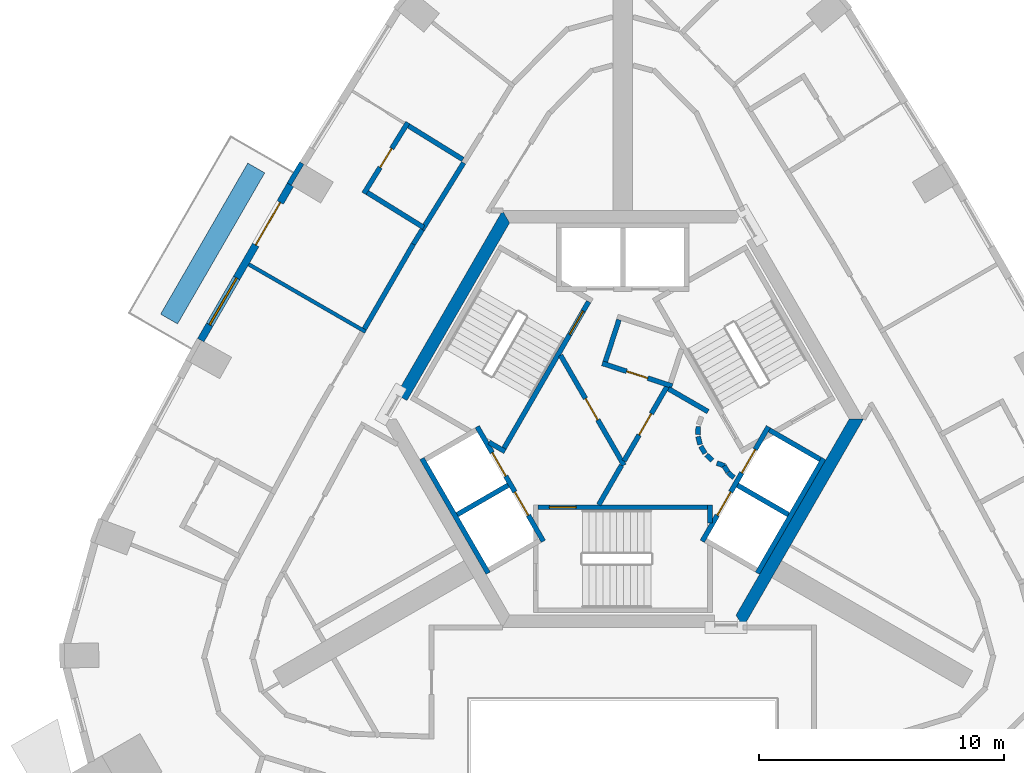
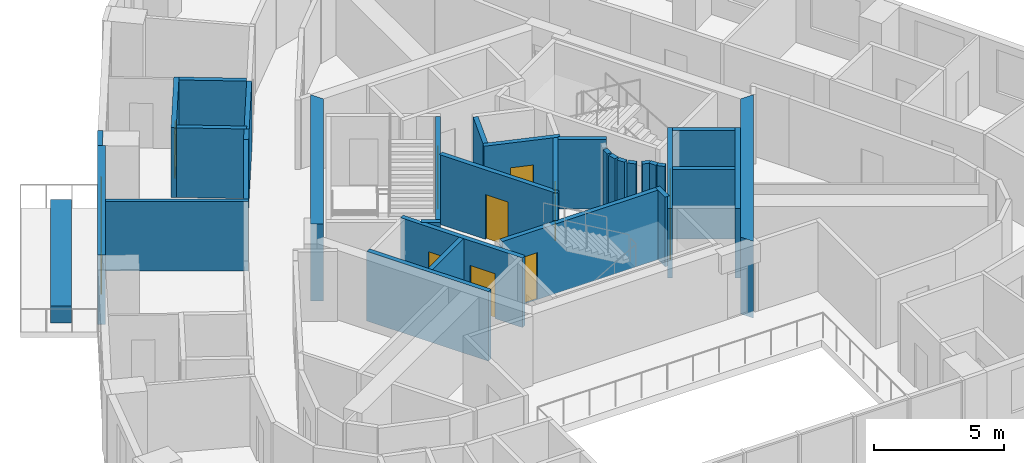
# One storey, part 5 of 11: 36 walls, 11 doors, 1 window, 12 openings.
"""IFC4 building model written with IfcOpenShell, lengths in metres."""

from ifc_helpers import new_model, si_unit, direction, frame, frame_2d, origin, place, context, subcontext, project, spatial, polyline, rectangle, outline, extrude, material, layer, layer_set, type_object, element, fill, save


model = new_model("IFC4")

# Units and contexts
model_context = context("Model", 3, precision=1e-05, world=origin(), true_north=direction((0.0, 1.0)))
body_context = subcontext(model_context, "Body", "Model", "MODEL_VIEW")
ifc_project = project(units=[si_unit("LENGTHUNIT", "METRE"), si_unit("AREAUNIT", "SQUARE_METRE"), si_unit("VOLUMEUNIT", "CUBIC_METRE"), si_unit("PLANEANGLEUNIT", "RADIAN"), si_unit("MASSUNIT", "GRAM", prefix="KILO")], contexts=[model_context])

# Site, building, storey
site_placement = place(None, origin())
site = spatial("IfcSite", under=ifc_project, at=site_placement, CompositionType="ELEMENT")
building_placement = place(site_placement, origin())
building = spatial("IfcBuilding", under=site, at=building_placement, Name="Entoto Arch Interchange Tower", CompositionType="ELEMENT")
storey_placement = place(building_placement, frame((0.0, 0.0, 304.39990234375)))
storey = spatial("IfcBuildingStorey", under=building, at=storey_placement, Name="L71", CompositionType="ELEMENT", Elevation=304.39990234375)

# Walls
ifc_material_1 = material(Name="Concrete C40/50", Category="concrete")
ifc_layer_1 = layer(ifc_material_1, 0.5)
ifc_layer_set_1 = layer_set([ifc_layer_1], Name="Concrete C40/50")
wall_type_1 = type_object("IfcWallType", Name="Core wall 500 C40/50", PredefinedType="SHEAR", material=ifc_layer_set_1)
wall_1_placement = place(storey_placement, frame((0.0, 0.0, -0.33984375)))
element("IfcWall", 1, at=wall_1_placement, inside=storey, type_object=wall_type_1, Name="Core wall NW L71", PredefinedType="SHEAR", context=body_context, shape_type="SweptSolid", body=[
    extrude(outline(polyline([(-9.236083984375, 3.501953125), (-8.802978515625, 3.2529296875), (-4.618896484375, 10.5), (-4.906982421875, 11.0), (-9.236083984375, 3.501953125)])), origin(), (0.0, 0.0, 1.0), 3.599853515625),
])
wall_2_placement = place(storey_placement, frame((0.0, 0.0, -0.33984375)))
element("IfcWall", 2, at=wall_2_placement, inside=storey, type_object=wall_type_1, Name="Core wall SE L71", PredefinedType="SHEAR", context=body_context, shape_type="SweptSolid", body=[
    extrude(outline(polyline([(4.906982421875, -6.0), (9.81494140625, 2.5), (9.238037109375, 2.5), (4.618896484375, -5.5), (4.906982421875, -6.0)])), origin(), (0.0, 0.0, 1.0), 3.599853515625),
])

# Wall, openings, doors
ifc_layer_2 = layer(ifc_material_1, 0.199951171875)
ifc_layer_set_2 = layer_set([ifc_layer_2], Name="Concrete C40/50")
wall_type_2 = type_object("IfcWallType", Name="LIFT SHAFT WALL 200", PredefinedType="STANDARD", material=ifc_layer_set_2)
wall_3_placement = place(storey_placement, frame((-5.93994140625, 2.18798828125, 0.0), z_axis=(0.0, 0.0, 1.0), x_axis=(0.500034260056, -0.866005622828, 0.0)))
wall_3 = element("IfcWall", 3, at=wall_3_placement, inside=storey, type_object=wall_type_2, Name="Shaft wall SW1 front", PredefinedType="STANDARD", context=body_context, shape_type="SweptSolid", body=[
    extrude(rectangle(XDim=5.3994140625, YDim=0.199951171875, at=frame_2d((2.69970703125, 0.0))), origin(), (0.0, 0.0, 1.0), 3.260009765625),
])
opening_1_placement = place(wall_3_placement, frame((3.074951171875, 0.0, 0.0)))
opening_1 = element("IfcOpeningElement", 4, at=opening_1_placement, cuts=wall_3, Name="Opening LD-HR4-L71", PredefinedType="OPENING", context=body_context, shape_type="SweptSolid", body=[
    extrude(rectangle(XDim=1.10009765625, YDim=2.10009765625, at=frame_2d((0.550048828125, 1.050048828125))), frame((0.0, 0.10986328125, 0.0), z_axis=(0.0, -1.0, 0.0), x_axis=(1.0, 0.0, 0.0)), (0.0, 0.0, 1.0), 0.219970703125),
])
opening_2_placement = place(wall_3_placement, frame((1.22509765625, 0.0, 0.0)))
opening_2 = element("IfcOpeningElement", 5, at=opening_2_placement, cuts=wall_3, Name="Opening LD-FF2-L71", PredefinedType="OPENING", context=body_context, shape_type="SweptSolid", body=[
    extrude(rectangle(XDim=1.10009765625, YDim=2.10009765625, at=frame_2d((0.550048828125, 1.050048828125))), frame((0.0, 0.10986328125, 0.0), z_axis=(0.0, -1.0, 0.0), x_axis=(1.0, 0.0, 0.0)), (0.0, 0.0, 1.0), 0.219970703125),
])
ifc_material_2 = material(Name="Stainless steel 1.4301 panels", Category="steel")
door_type_1 = type_object("IfcDoorType", Name="LIFT LANDING DOOR LD1 1100x2100", OperationType="SLIDING_TO_LEFT", PredefinedType="DOOR", material=ifc_material_2)
door_1_placement = place(opening_1_placement, origin())
door_1 = element("IfcDoor", 6, at=door_1_placement, inside=storey, type_object=door_type_1, Name="Lift landing door HR4 L71", OperationType="SLIDING_TO_LEFT", OverallHeight=2.10009765625, OverallWidth=1.10009765625, PredefinedType="DOOR", context=body_context, shape_type="SweptSolid", body=[
    extrude(rectangle(XDim=1.10009765625, YDim=2.10009765625, at=frame_2d((0.550048828125, 1.050048828125))), frame((0.0, 0.02490234375, 0.0), z_axis=(0.0, -1.0, 0.0), x_axis=(1.0, 0.0, 0.0)), (0.0, 0.0, 1.0), 0.050048828125),
])
fill(opening_1, door_1)
door_2_placement = place(opening_2_placement, origin())
door_2 = element("IfcDoor", 7, at=door_2_placement, inside=storey, type_object=door_type_1, Name="Lift landing door FF2 L71", OperationType="SLIDING_TO_LEFT", OverallHeight=2.10009765625, OverallWidth=1.10009765625, PredefinedType="DOOR", context=body_context, shape_type="SweptSolid", body=[
    extrude(rectangle(XDim=1.10009765625, YDim=2.10009765625, at=frame_2d((0.550048828125, 1.050048828125))), frame((0.0, 0.02490234375, 0.0), z_axis=(0.0, -1.0, 0.0), x_axis=(1.0, 0.0, 0.0)), (0.0, 0.0, 1.0), 0.050048828125),
])
fill(opening_2, door_2)

# Walls
wall_4_placement = place(storey_placement, frame((-8.19189453125, 0.887939453125, 0.0), z_axis=(0.0, 0.0, 1.0), x_axis=(0.500034260056, -0.866005622828, 0.0)))
element("IfcWall", 8, at=wall_4_placement, inside=storey, type_object=wall_type_2, Name="Shaft wall SW1 back", PredefinedType="STANDARD", context=body_context, shape_type="SweptSolid", body=[
    extrude(rectangle(XDim=5.3994140625, YDim=0.199951171875, at=frame_2d((2.69970703125, 0.0))), origin(), (0.0, 0.0, 1.0), 3.260009765625),
])
wall_5_placement = place(storey_placement, frame((-4.677001953125, -0.199951171875, 0.0), z_axis=(0.0, 0.0, 1.0), x_axis=(-0.865973769406, -0.500089422704, 0.0)))
element("IfcWall", 9, at=wall_5_placement, inside=storey, type_object=wall_type_2, Name="Shaft wall SW1 cross 2", PredefinedType="STANDARD", context=body_context, shape_type="SweptSolid", body=[
    extrude(rectangle(XDim=2.3994140625, YDim=0.199951171875, at=frame_2d((1.19970703125, 0.0))), origin(), (0.0, 0.0, 1.0), 3.260009765625),
])

# Wall, openings, doors
wall_6_placement = place(storey_placement, frame((3.239990234375, -2.488037109375, 0.0), z_axis=(0.0, 0.0, 1.0), x_axis=(0.500034260056, 0.866005622828, 0.0)))
wall_6 = element("IfcWall", 10, at=wall_6_placement, inside=storey, type_object=wall_type_2, Name="Shaft wall SE1 front", PredefinedType="STANDARD", context=body_context, shape_type="SweptSolid", body=[
    extrude(rectangle(XDim=5.3994140625, YDim=0.199951171875, at=frame_2d((2.69970703125, 0.0))), origin(), (0.0, 0.0, 1.0), 3.260009765625),
])
opening_3_placement = place(wall_6_placement, frame((3.22509765625, 0.0, 0.0)))
opening_3 = element("IfcOpeningElement", 11, at=opening_3_placement, cuts=wall_6, Name="Opening LD-HR3-L71", PredefinedType="OPENING", context=body_context, shape_type="SweptSolid", body=[
    extrude(rectangle(XDim=1.10009765625, YDim=2.10009765625, at=frame_2d((0.550048828125, 1.050048828125))), frame((0.0, 0.10986328125, 0.0), z_axis=(0.0, -1.0, 0.0), x_axis=(1.0, 0.0, 0.0)), (0.0, 0.0, 1.0), 0.219970703125),
])
opening_4_placement = place(wall_6_placement, frame((1.22509765625, 0.0, 0.0)))
opening_4 = element("IfcOpeningElement", 12, at=opening_4_placement, cuts=wall_6, Name="Opening LD-FF1-L71", PredefinedType="OPENING", context=body_context, shape_type="SweptSolid", body=[
    extrude(rectangle(XDim=1.10009765625, YDim=2.10009765625, at=frame_2d((0.550048828125, 1.050048828125))), frame((0.0, 0.10986328125, 0.0), z_axis=(0.0, -1.0, 0.0), x_axis=(1.0, 0.0, 0.0)), (0.0, 0.0, 1.0), 0.219970703125),
])
door_3_placement = place(opening_3_placement, origin())
door_3 = element("IfcDoor", 13, at=door_3_placement, inside=storey, type_object=door_type_1, Name="Lift landing door HR3 L71", OperationType="SLIDING_TO_LEFT", OverallHeight=2.10009765625, OverallWidth=1.10009765625, PredefinedType="DOOR", context=body_context, shape_type="SweptSolid", body=[
    extrude(rectangle(XDim=1.10009765625, YDim=2.10009765625, at=frame_2d((0.550048828125, 1.050048828125))), frame((0.0, 0.02490234375, 0.0), z_axis=(0.0, -1.0, 0.0), x_axis=(1.0, 0.0, 0.0)), (0.0, 0.0, 1.0), 0.050048828125),
])
fill(opening_3, door_3)
door_4_placement = place(opening_4_placement, origin())
door_4 = element("IfcDoor", 14, at=door_4_placement, inside=storey, type_object=door_type_1, Name="Lift landing door FF1 L71", OperationType="SLIDING_TO_LEFT", OverallHeight=2.10009765625, OverallWidth=1.10009765625, PredefinedType="DOOR", context=body_context, shape_type="SweptSolid", body=[
    extrude(rectangle(XDim=1.10009765625, YDim=2.10009765625, at=frame_2d((0.550048828125, 1.050048828125))), frame((0.0, 0.02490234375, 0.0), z_axis=(0.0, -1.0, 0.0), x_axis=(1.0, 0.0, 0.0)), (0.0, 0.0, 1.0), 0.050048828125),
])
fill(opening_4, door_4)

# Walls
wall_7_placement = place(storey_placement, frame((5.491943359375, -3.7880859375, 0.0), z_axis=(0.0, 0.0, 1.0), x_axis=(0.500034260056, 0.866005622828, 0.0)))
element("IfcWall", 15, at=wall_7_placement, inside=storey, type_object=wall_type_2, Name="Shaft wall SE1 back", PredefinedType="STANDARD", context=body_context, shape_type="SweptSolid", body=[
    extrude(rectangle(XDim=5.3994140625, YDim=0.199951171875, at=frame_2d((2.69970703125, 0.0))), origin(), (0.0, 0.0, 1.0), 3.260009765625),
])
for number, where, z_axis, x_axis, name in (
    (16, (4.677001953125, -0.199951171875, 0.0), (0.0, 0.0, 1.0), (0.865973769406, -0.500089422704, 0.0), "Shaft wall SE1 cross 2"),
    (17, (5.97705078125, 2.052001953125, 0.0), (0.0, 0.0, 1.0), (0.865973769406, -0.500089422704, 0.0), "Shaft wall SE1 cross 3"),
):
    element("IfcWall", number, at=place(storey_placement, frame(where, z_axis=z_axis, x_axis=x_axis)), inside=storey, type_object=wall_type_2, Name=name, PredefinedType="STANDARD", context=body_context, shape_type="SweptSolid", body=[
        extrude(rectangle(XDim=2.3994140625, YDim=0.199951171875, at=frame_2d((1.19970703125, 0.0))), origin(), (0.0, 0.0, 1.0), 3.260009765625),
    ])
ifc_material_3 = material(Name="Gypsum board partition on steel studs", Category="steel")
ifc_layer_3 = layer(ifc_material_3, 0.14990234375)
ifc_layer_set_3 = layer_set([ifc_layer_3], Name="Gypsum board partition on steel studs")
wall_type_3 = type_object("IfcWallType", Name="PARTITION 150", PredefinedType="PARTITIONING", material=ifc_layer_set_3)
wall_8_placement = place(storey_placement, frame((-10.493896484375, 6.05908203125, 0.0), z_axis=(0.0, 0.0, 1.0), x_axis=(-0.866027397988, 0.499996545922, 0.0)))
element("IfcWall", 18, at=wall_8_placement, inside=storey, type_object=wall_type_3, Name="wall:L71:p119", PredefinedType="PARTITIONING", context=body_context, shape_type="SweptSolid", body=[
    extrude(rectangle(XDim=5.5, YDim=0.14990234375, at=frame_2d((2.75, 0.0))), origin(), (0.0, 0.0, 1.0), 3.260009765625),
])
ifc_layer_4 = layer(ifc_material_3, 0.199951171875)
ifc_layer_set_4 = layer_set([ifc_layer_4], Name="Gypsum board partition on steel studs")
wall_type_4 = type_object("IfcWallType", Name="PARTITION 200", PredefinedType="PARTITIONING", material=ifc_layer_set_4)
wall_9_placement = place(storey_placement, frame((-0.156982421875, 6.547119140625, 0.0), z_axis=(0.0, 0.0, 1.0), x_axis=(-0.308813127339, -0.951122732555, 0.0)))
element("IfcWall", 19, at=wall_9_placement, inside=storey, type_object=wall_type_4, Name="wall:L71:p002", PredefinedType="PARTITIONING", context=body_context, shape_type="SweptSolid", body=[
    extrude(rectangle(XDim=1.800048828125, YDim=0.199951171875, at=frame_2d((0.89990234375, 0.0))), origin(), (0.0, 0.0, 1.0), 3.260009765625),
])

# Wall, opening, door
wall_10_placement = place(storey_placement, frame((-0.839111328125, 4.77099609375, 0.0), z_axis=(0.0, 0.0, 1.0), x_axis=(0.950961084355, -0.309310549515, 0.0)))
wall_10 = element("IfcWall", 20, at=wall_10_placement, inside=storey, type_object=wall_type_4, Name="wall:L71:p003", PredefinedType="PARTITIONING", context=body_context, shape_type="SweptSolid", body=[
    extrude(rectangle(XDim=3.000244140625, YDim=0.199951171875, at=frame_2d((1.5, 0.0))), origin(), (0.0, 0.0, 1.0), 3.260009765625),
])
opening_5_placement = place(wall_10_placement, frame((1.050048828125, 0.0, 0.0)))
opening_5 = element("IfcOpeningElement", 21, at=opening_5_placement, cuts=wall_10, Name="Opening L71-D34", PredefinedType="OPENING", context=body_context, shape_type="SweptSolid", body=[
    extrude(rectangle(XDim=0.89990234375, YDim=2.10009765625, at=frame_2d((0.449951171875, 1.050048828125))), frame((0.0, 0.10986328125, 0.0), z_axis=(0.0, -1.0, 0.0), x_axis=(1.0, 0.0, 0.0)), (0.0, 0.0, 1.0), 0.219970703125),
])
ifc_material_4 = material(Name="Timber door leaf in Steel S235 frame", Category="steel")
door_type_2 = type_object("IfcDoorType", Name="DOOR DS-09 900x2100", OperationType="SINGLE_SWING_LEFT", PredefinedType="DOOR", material=ifc_material_4)
door_5_placement = place(opening_5_placement, origin())
door_5 = element("IfcDoor", 22, at=door_5_placement, inside=storey, type_object=door_type_2, Name="door:L71:34", OperationType="SINGLE_SWING_LEFT", OverallHeight=2.10009765625, OverallWidth=0.89990234375, PredefinedType="DOOR", context=body_context, shape_type="SweptSolid", body=[
    extrude(rectangle(XDim=0.89990234375, YDim=2.10009765625, at=frame_2d((0.449951171875, 1.050048828125))), frame((0.0, 0.02490234375, 0.0), z_axis=(0.0, -1.0, 0.0), x_axis=(1.0, 0.0, 0.0)), (0.0, 0.0, 1.0), 0.050048828125),
])
fill(opening_5, door_5)

# Walls
wall_11_placement = place(storey_placement, frame((-10.54296875, 6.174072265625, 0.0), z_axis=(0.0, 0.0, 1.0), x_axis=(0.50008212199, 0.86597798544, 0.0)))
element("IfcWall", 23, at=wall_11_placement, inside=storey, type_object=wall_type_4, Name="wall:L71:p049", PredefinedType="PARTITIONING", context=body_context, shape_type="SweptSolid", body=[
    extrude(rectangle(XDim=3.995361328125, YDim=0.199951171875, at=frame_2d((1.99755859375, 0.0))), origin(), (0.0, 0.0, 1.0), 3.260009765625),
])
wall_12_placement = place(storey_placement, frame((-8.544921875, 9.634033203125, 0.0), z_axis=(0.0, 0.0, 1.0), x_axis=(0.52594604986, 0.85051793199, 0.0)))
element("IfcWall", 24, at=wall_12_placement, inside=storey, type_object=wall_type_4, Name="wall:L71:p050", PredefinedType="PARTITIONING", context=body_context, shape_type="SweptSolid", body=[
    extrude(rectangle(XDim=0.699462890625, YDim=0.199951171875, at=frame_2d((0.349609375, 0.0))), origin(), (0.0, 0.0, 1.0), 3.260009765625),
])
wall_13_placement = place(storey_placement, frame((-8.177001953125, 10.22900390625, 0.0), z_axis=(0.0, 0.0, 1.0), x_axis=(0.526504295939, 0.850172468595, 0.0)))
element("IfcWall", 25, at=wall_13_placement, inside=storey, type_object=wall_type_4, Name="wall:L71:p051", PredefinedType="PARTITIONING", context=body_context, shape_type="SweptSolid", body=[
    extrude(rectangle(XDim=3.200439453125, YDim=0.199951171875, at=frame_2d((1.60009765625, 0.0))), origin(), (0.0, 0.0, 1.0), 3.260009765625),
])
wall_14_placement = place(storey_placement, frame((-0.98193359375, -1.0, 0.0), z_axis=(0.0, 0.0, 1.0), x_axis=(0.50024047865, 0.865886518847, 0.0)))
element("IfcWall", 26, at=wall_14_placement, inside=storey, type_object=wall_type_4, Name="wall:L71:p063", PredefinedType="PARTITIONING", context=body_context, shape_type="SweptSolid", body=[
    extrude(rectangle(XDim=1.86279296875, YDim=0.199951171875, at=frame_2d((0.931396484375, 0.0))), origin(), (0.0, 0.0, 1.0), 3.260009765625),
])

# Wall, opening, door
wall_15_placement = place(storey_placement, frame((0.050048828125, 0.787109375, 0.0), z_axis=(0.0, 0.0, 1.0), x_axis=(0.499954076797, 0.866051915934, 0.0)))
wall_15 = element("IfcWall", 27, at=wall_15_placement, inside=storey, type_object=wall_type_4, Name="wall:L71:p064", PredefinedType="PARTITIONING", context=body_context, shape_type="SweptSolid", body=[
    extrude(rectangle(XDim=3.558349609375, YDim=0.199951171875, at=frame_2d((1.779296875, 0.0))), origin(), (0.0, 0.0, 1.0), 3.260009765625),
])
opening_6_placement = place(wall_15_placement, frame((1.22900390625, 0.0, 0.0)))
opening_6 = element("IfcOpeningElement", 28, at=opening_6_placement, cuts=wall_15, Name="Opening L71-D32", PredefinedType="OPENING", context=body_context, shape_type="SweptSolid", body=[
    extrude(rectangle(XDim=1.0, YDim=2.10009765625, at=frame_2d((0.5, 1.050048828125))), frame((0.0, 0.10986328125, 0.0), z_axis=(0.0, -1.0, 0.0), x_axis=(1.0, 0.0, 0.0)), (0.0, 0.0, 1.0), 0.219970703125),
])
ifc_material_5 = material(Name="Fire-rated Steel S235 door and frame", Category="steel")
door_type_3 = type_object("IfcDoorType", Name="DOOR FD-10 1000x2100", OperationType="SINGLE_SWING_LEFT", PredefinedType="DOOR", material=ifc_material_5)
door_6_placement = place(opening_6_placement, origin())
door_6 = element("IfcDoor", 29, at=door_6_placement, inside=storey, type_object=door_type_3, Name="door:L71:32", OperationType="SINGLE_SWING_RIGHT", OverallHeight=2.10009765625, OverallWidth=1.0, PredefinedType="DOOR", context=body_context, shape_type="SweptSolid", body=[
    extrude(rectangle(XDim=1.0, YDim=2.10009765625, at=frame_2d((0.5, 1.050048828125))), frame((0.0, 0.02490234375, 0.0), z_axis=(0.0, -1.0, 0.0), x_axis=(1.0, 0.0, 0.0)), (0.0, 0.0, 1.0), 0.050048828125),
])
fill(opening_6, door_6)

# Walls
wall_16_placement = place(storey_placement, frame((1.865966796875, 3.73193359375, 0.0), z_axis=(0.0, 0.0, 1.0), x_axis=(0.866043361281, -0.499968895414, 0.0)))
element("IfcWall", 30, at=wall_16_placement, inside=storey, type_object=wall_type_4, Name="wall:L71:p065", PredefinedType="PARTITIONING", context=body_context, shape_type="SweptSolid", body=[
    extrude(rectangle(XDim=1.85791015625, YDim=0.199951171875, at=frame_2d((0.928955078125, 0.0))), origin(), (0.0, 0.0, 1.0), 3.260009765625),
])
wall_17_placement = place(storey_placement, frame((3.0791015625, 2.198974609375, 0.0), z_axis=(0.0, 0.0, 1.0), x_axis=(-0.047771483479, -0.998858290933, 0.0)))
element("IfcWall", 31, at=wall_17_placement, inside=storey, type_object=wall_type_4, Name="wall:L71:p067", PredefinedType="PARTITIONING", context=body_context, shape_type="SweptSolid", body=[
    extrude(rectangle(XDim=0.33740234375, YDim=0.199951171875, at=frame_2d((0.168701171875, 0.0))), origin(), (0.0, 0.0, 1.0), 3.260009765625),
])
wall_18_placement = place(storey_placement, frame((3.070068359375, 1.785888671875, 0.0), z_axis=(0.0, 0.0, 1.0), x_axis=(0.242705583207, -0.970099994784, 0.0)))
element("IfcWall", 32, at=wall_18_placement, inside=storey, type_object=wall_type_4, Name="wall:L71:p068", PredefinedType="PARTITIONING", context=body_context, shape_type="SweptSolid", body=[
    extrude(rectangle(XDim=0.337890625, YDim=0.199951171875, at=frame_2d((0.1689453125, 0.0))), origin(), (0.0, 0.0, 1.0), 3.260009765625),
])
for number, where, z_axis, x_axis, name in (
    (33, (3.181884765625, 1.387939453125, 0.0), (0.0, 0.0, 1.0), (0.512474702713, -0.85870232274, 0.0), "wall:L71:p069"),
    (34, (3.404052734375, 1.0390625, 0.0), (0.0, 0.0, 1.0), (0.740267097712, -0.672312891476, 0.0), "wall:L71:p070"),
):
    element("IfcWall", number, at=place(storey_placement, frame(where, z_axis=z_axis, x_axis=x_axis)), inside=storey, type_object=wall_type_4, Name=name, PredefinedType="PARTITIONING", context=body_context, shape_type="SweptSolid", body=[
        extrude(rectangle(XDim=0.337646484375, YDim=0.199951171875, at=frame_2d((0.1689453125, 0.0))), origin(), (0.0, 0.0, 1.0), 3.260009765625),
    ])
wall_19_placement = place(storey_placement, frame((3.837890625, 0.701904296875, 0.0), z_axis=(0.0, 0.0, 1.0), x_axis=(0.941035081519, -0.338308993895, 0.0)))
element("IfcWall", 35, at=wall_19_placement, inside=storey, type_object=wall_type_4, Name="wall:L71:p071", PredefinedType="PARTITIONING", context=body_context, shape_type="SweptSolid", body=[
    extrude(rectangle(XDim=0.3369140625, YDim=0.199951171875, at=frame_2d((0.16845703125, 0.0))), origin(), (0.0, 0.0, 1.0), 3.260009765625),
])
wall_20_placement = place(storey_placement, frame((4.132080078125, 0.593017578125, 0.0), z_axis=(0.0, 0.0, 1.0), x_axis=(0.513561617048, -0.858052717201, 0.0)))
element("IfcWall", 36, at=wall_20_placement, inside=storey, type_object=wall_type_4, Name="wall:L71:p072", PredefinedType="PARTITIONING", context=body_context, shape_type="SweptSolid", body=[
    extrude(rectangle(XDim=0.3076171875, YDim=0.199951171875, at=frame_2d((0.15380859375, 0.0))), origin(), (0.0, 0.0, 1.0), 3.260009765625),
])
wall_21_placement = place(storey_placement, frame((4.301025390625, 0.31494140625, 0.0), z_axis=(0.0, 0.0, 1.0), x_axis=(0.741798017506, -0.670623367639, 0.0)))
element("IfcWall", 37, at=wall_21_placement, inside=storey, type_object=wall_type_4, Name="wall:L71:p073", PredefinedType="PARTITIONING", context=body_context, shape_type="SweptSolid", body=[
    extrude(rectangle(XDim=0.30859375, YDim=0.199951171875, at=frame_2d((0.154296875, 0.0))), origin(), (0.0, 0.0, 1.0), 3.260009765625),
])

# Wall, opening, door
wall_22_placement = place(storey_placement, frame((-2.5400390625, 5.10009765625, 0.0), z_axis=(0.0, 0.0, 1.0), x_axis=(0.499925051871, -0.866068670783, 0.0)))
wall_22 = element("IfcWall", 38, at=wall_22_placement, inside=storey, type_object=wall_type_4, Name="wall:L71:p074", PredefinedType="PARTITIONING", context=body_context, shape_type="SweptSolid", body=[
    extrude(rectangle(XDim=5.180908203125, YDim=0.199951171875, at=frame_2d((2.59033203125, 0.0))), origin(), (0.0, 0.0, 1.0), 3.260009765625),
])
opening_7_placement = place(wall_22_placement, frame((2.0400390625, 0.0, 0.0)))
opening_7 = element("IfcOpeningElement", 39, at=opening_7_placement, cuts=wall_22, Name="Opening L71-D33", PredefinedType="OPENING", context=body_context, shape_type="SweptSolid", body=[
    extrude(rectangle(XDim=1.0, YDim=2.10009765625, at=frame_2d((0.5, 1.050048828125))), frame((0.0, 0.10986328125, 0.0), z_axis=(0.0, -1.0, 0.0), x_axis=(1.0, 0.0, 0.0)), (0.0, 0.0, 1.0), 0.219970703125),
])
door_7_placement = place(opening_7_placement, origin())
door_7 = element("IfcDoor", 40, at=door_7_placement, inside=storey, type_object=door_type_3, Name="door:L71:33", OperationType="SINGLE_SWING_RIGHT", OverallHeight=2.10009765625, OverallWidth=1.0, PredefinedType="DOOR", context=body_context, shape_type="SweptSolid", body=[
    extrude(rectangle(XDim=1.0, YDim=2.10009765625, at=frame_2d((0.5, 1.050048828125))), frame((0.0, 0.02490234375, 0.0), z_axis=(0.0, -1.0, 0.0), x_axis=(1.0, 0.0, 0.0)), (0.0, 0.0, 1.0), 0.050048828125),
])
fill(opening_7, door_7)

# Wall
wall_23_placement = place(storey_placement, frame((-6.52490234375, 13.087890625, 0.0), z_axis=(0.0, 0.0, 1.0), x_axis=(-0.850379182329, 0.526170358592, 0.0)))
element("IfcWall", 41, at=wall_23_placement, inside=storey, type_object=wall_type_4, Name="wall:L71:p116", PredefinedType="PARTITIONING", context=body_context, shape_type="SweptSolid", body=[
    extrude(rectangle(XDim=2.600341796875, YDim=0.199951171875, at=frame_2d((1.30029296875, 0.0))), origin(), (0.0, 0.0, 1.0), 3.260009765625),
])

# Wall, opening, door
wall_24_placement = place(storey_placement, frame((-8.76806640625, 14.593994140625, 0.0), z_axis=(0.0, 0.0, 1.0), x_axis=(-0.526418877713, -0.850225361412, 0.0)))
wall_24 = element("IfcWall", 42, at=wall_24_placement, inside=storey, type_object=wall_type_4, Name="wall:L71:p117", PredefinedType="PARTITIONING", context=body_context, shape_type="SweptSolid", body=[
    extrude(rectangle(XDim=3.400390625, YDim=0.199951171875, at=frame_2d((1.7001953125, 0.0))), origin(), (0.0, 0.0, 1.0), 3.260009765625),
])
opening_8_placement = place(wall_24_placement, frame((1.25, 0.0, 0.0)))
opening_8 = element("IfcOpeningElement", 43, at=opening_8_placement, cuts=wall_24, Name="Opening L71-D17", PredefinedType="OPENING", context=body_context, shape_type="SweptSolid", body=[
    extrude(rectangle(XDim=0.89990234375, YDim=2.10009765625, at=frame_2d((0.449951171875, 1.050048828125))), frame((0.0, 0.10986328125, 0.0), z_axis=(0.0, -1.0, 0.0), x_axis=(1.0, 0.0, 0.0)), (0.0, 0.0, 1.0), 0.219970703125),
])
door_8_placement = place(opening_8_placement, origin())
door_8 = element("IfcDoor", 44, at=door_8_placement, inside=storey, type_object=door_type_2, Name="door:L71:17", OperationType="SINGLE_SWING_LEFT", OverallHeight=2.10009765625, OverallWidth=0.89990234375, PredefinedType="DOOR", context=body_context, shape_type="SweptSolid", body=[
    extrude(rectangle(XDim=0.89990234375, YDim=2.10009765625, at=frame_2d((0.449951171875, 1.050048828125))), frame((0.0, 0.02490234375, 0.0), z_axis=(0.0, -1.0, 0.0), x_axis=(1.0, 0.0, 0.0)), (0.0, 0.0, 1.0), 0.050048828125),
])
fill(opening_8, door_8)

# Walls
wall_25_placement = place(storey_placement, frame((-10.419921875, 11.736083984375, 0.0), z_axis=(0.0, 0.0, 1.0), x_axis=(0.850124477172, -0.52658178217, 0.0)))
element("IfcWall", 45, at=wall_25_placement, inside=storey, type_object=wall_type_4, Name="wall:L71:p118", PredefinedType="PARTITIONING", context=body_context, shape_type="SweptSolid", body=[
    extrude(rectangle(XDim=2.70068359375, YDim=0.199951171875, at=frame_2d((1.350341796875, 0.0))), origin(), (0.0, 0.0, 1.0), 3.260009765625),
])
ifc_material_6 = material(Name="Board-marked precast concrete C50/60", Category="concrete")
ifc_layer_5 = layer(ifc_material_6, 0.800048828125)
ifc_layer_set_5 = layer_set([ifc_layer_5], Name="Board-marked precast concrete C50/60")
wall_type_5 = type_object("IfcWallType", Name="PLANTER RC 800 Juniperus procera", PredefinedType="STANDARD", material=ifc_layer_set_5)
wall_26_placement = place(storey_placement, frame((-14.949951171875, 12.739990234375, 0.0), z_axis=(0.0, 0.0, 1.0), x_axis=(-0.500043210338, -0.866000454847, 0.0)))
element("IfcWall", 46, at=wall_26_placement, inside=storey, type_object=wall_type_5, Name="Planter NW-02 L71", PredefinedType="STANDARD", context=body_context, shape_type="SweptSolid", body=[
    extrude(rectangle(XDim=7.115478515625, YDim=0.800048828125, at=frame_2d((3.5576171875, 0.0))), origin(), (0.0, 0.0, 1.0), 0.800048828125),
])
ifc_layer_6 = layer(ifc_material_1, 0.199951171875)
ifc_layer_set_6 = layer_set([ifc_layer_6], Name="Concrete C40/50")
wall_type_6 = type_object("IfcWallType", Name="STAIR ENCLOSURE WALL 200", PredefinedType="STANDARD", material=ifc_layer_set_6)
wall_27_placement = place(storey_placement, frame((3.550048828125, -1.0, 0.0), z_axis=(0.0, 0.0, 1.0), x_axis=(0.0, -1.0, 0.0)))
element("IfcWall", 47, at=wall_27_placement, inside=storey, type_object=wall_type_6, Name="Stair wall ST-S far return", PredefinedType="STANDARD", context=body_context, shape_type="SweptSolid", body=[
    extrude(rectangle(XDim=0.7509765625, YDim=0.199951171875, at=frame_2d((0.37548828125, 0.0))), origin(), (0.0, 0.0, 1.0), 3.260009765625),
])

# Wall, opening, door
wall_28_placement = place(storey_placement, frame((-3.449951171875, -1.10009765625, 0.0), z_axis=(0.0, 0.0, 1.0), x_axis=(1.0, 0.0, 0.0)))
wall_28 = element("IfcWall", 48, at=wall_28_placement, inside=storey, type_object=wall_type_6, Name="Stair wall ST-S hall", PredefinedType="STANDARD", context=body_context, shape_type="SweptSolid", body=[
    extrude(rectangle(XDim=6.89990234375, YDim=0.199951171875, at=frame_2d((3.449951171875, 0.0))), origin(), (0.0, 0.0, 1.0), 3.260009765625),
])
opening_9_placement = place(wall_28_placement, frame((0.449951171875, 0.0, 0.0)))
opening_9 = element("IfcOpeningElement", 49, at=opening_9_placement, cuts=wall_28, Name="Opening SD-ST-S-L71", PredefinedType="OPENING", context=body_context, shape_type="SweptSolid", body=[
    extrude(rectangle(XDim=1.10009765625, YDim=2.199951171875, at=frame_2d((0.550048828125, 1.10009765625))), frame((0.0, 0.10986328125, 0.0), z_axis=(0.0, -1.0, 0.0), x_axis=(1.0, 0.0, 0.0)), (0.0, 0.0, 1.0), 0.219970703125),
])
ifc_material_7 = material(Name="Steel S235", Category="steel")
door_type_4 = type_object("IfcDoorType", Name="STAIR DOOR SD1 1100x2200", OperationType="SINGLE_SWING_LEFT", PredefinedType="DOOR", material=ifc_material_7)
door_9_placement = place(opening_9_placement, origin())
door_9 = element("IfcDoor", 50, at=door_9_placement, inside=storey, type_object=door_type_4, Name="Stair door ST-S L71", OperationType="SINGLE_SWING_LEFT", OverallHeight=2.199951171875, OverallWidth=1.10009765625, PredefinedType="DOOR", context=body_context, shape_type="SweptSolid", body=[
    extrude(rectangle(XDim=1.10009765625, YDim=2.199951171875, at=frame_2d((0.550048828125, 1.10009765625))), frame((0.0, 0.02490234375, 0.0), z_axis=(0.0, -1.0, 0.0), x_axis=(1.0, 0.0, 0.0)), (0.0, 0.0, 1.0), 0.050048828125),
])
fill(opening_9, door_9)

# Wall
wall_29_placement = place(storey_placement, frame((-4.805908203125, 1.176025390625, 0.0), z_axis=(0.0, 0.0, 1.0), x_axis=(-0.866558586415, 0.499075361355, 0.0)))
element("IfcWall", 51, at=wall_29_placement, inside=storey, type_object=wall_type_6, Name="Stair wall ST-NW far return", PredefinedType="STANDARD", context=body_context, shape_type="SweptSolid", body=[
    extrude(rectangle(XDim=0.75146484375, YDim=0.199951171875, at=frame_2d((0.375732421875, 0.0))), origin(), (0.0, 0.0, 1.0), 3.260009765625),
])

# Wall, opening, door
wall_30_placement = place(storey_placement, frame((-1.39306640625, 7.2880859375, 0.0), z_axis=(0.0, 0.0, 1.0), x_axis=(-0.499963383562, -0.866046543262, 0.0)))
wall_30 = element("IfcWall", 52, at=wall_30_placement, inside=storey, type_object=wall_type_6, Name="Stair wall ST-NW hall", PredefinedType="STANDARD", context=body_context, shape_type="SweptSolid", body=[
    extrude(rectangle(XDim=6.900390625, YDim=0.199951171875, at=frame_2d((3.4501953125, 0.0))), origin(), (0.0, 0.0, 1.0), 3.260009765625),
])
opening_10_placement = place(wall_30_placement, frame((0.449951171875, 0.0, 0.0)))
opening_10 = element("IfcOpeningElement", 53, at=opening_10_placement, cuts=wall_30, Name="Opening SD-ST-NW-L71", PredefinedType="OPENING", context=body_context, shape_type="SweptSolid", body=[
    extrude(rectangle(XDim=1.10009765625, YDim=2.199951171875, at=frame_2d((0.550048828125, 1.10009765625))), frame((0.0, 0.10986328125, 0.0), z_axis=(0.0, -1.0, 0.0), x_axis=(1.0, 0.0, 0.0)), (0.0, 0.0, 1.0), 0.219970703125),
])
door_10_placement = place(opening_10_placement, origin())
door_10 = element("IfcDoor", 54, at=door_10_placement, inside=storey, type_object=door_type_4, Name="Stair door ST-NW L71", OperationType="SINGLE_SWING_LEFT", OverallHeight=2.199951171875, OverallWidth=1.10009765625, PredefinedType="DOOR", context=body_context, shape_type="SweptSolid", body=[
    extrude(rectangle(XDim=1.10009765625, YDim=2.199951171875, at=frame_2d((0.550048828125, 1.10009765625))), frame((0.0, 0.02490234375, 0.0), z_axis=(0.0, -1.0, 0.0), x_axis=(1.0, 0.0, 0.0)), (0.0, 0.0, 1.0), 0.050048828125),
])
fill(opening_10, door_10)

# Wall, openings, door, window
ifc_material_8 = material(Name="Welded tuff (ignimbrite) cladding, warm buff", Category="masonry")
ifc_layer_7 = layer(ifc_material_8, 0.300048828125)
ifc_layer_set_7 = layer_set([ifc_layer_7], Name="Welded tuff (ignimbrite) cladding, warm buff")
wall_type_7 = type_object("IfcWallType", Name="STONE INFILL WALL 300", PredefinedType="STANDARD", material=ifc_layer_set_7)
wall_31_placement = place(storey_placement, frame((-13.55908203125, 12.051025390625, 0.0), z_axis=(0.0, 0.0, 1.0), x_axis=(-0.499905472729, -0.866079972252, 0.0)))
wall_31 = element("IfcWall", 55, at=wall_31_placement, inside=storey, type_object=wall_type_7, Name="Facade wall NW-02 L71", PredefinedType="STANDARD", context=body_context, shape_type="SweptSolid", body=[
    extrude(rectangle(XDim=7.3134765625, YDim=0.300048828125, at=frame_2d((3.65673828125, 0.0))), origin(), (0.0, 0.0, 1.0), 3.260009765625),
])
opening_11_placement = place(wall_31_placement, frame((0.827880859375, 0.0, 0.0)))
opening_11 = element("IfcOpeningElement", 56, at=opening_11_placement, cuts=wall_31, Name="Opening DB-NW-02-L71", PredefinedType="OPENING", context=body_context, shape_type="SweptSolid", body=[
    extrude(rectangle(XDim=2.0, YDim=2.39990234375, at=frame_2d((1.0, 1.199951171875))), frame((0.0, 0.16015625, 0.0), z_axis=(0.0, -1.0, 0.0), x_axis=(1.0, 0.0, 0.0)), (0.0, 0.0, 1.0), 0.320068359375),
])
opening_12_placement = place(wall_31_placement, frame((4.385009765625, 0.0, 0.89990234375)))
opening_12 = element("IfcOpeningElement", 57, at=opening_12_placement, cuts=wall_31, Name="Opening WH-A", PredefinedType="OPENING", context=body_context, shape_type="SweptSolid", body=[
    extrude(rectangle(XDim=2.199951171875, YDim=2.0, at=frame_2d((1.10009765625, 1.0))), frame((0.0, 0.16015625, 0.0), z_axis=(0.0, -1.0, 0.0), x_axis=(1.0, 0.0, 0.0)), (0.0, 0.0, 1.0), 0.320068359375),
])
ifc_material_9 = material(Name="Aluminium and clear glass, anodised", Category="aluminium")
door_type_5 = type_object("IfcDoorType", Name="BALCONY DOOR DB 2000x2400", OperationType="SLIDING_TO_LEFT", PredefinedType="DOOR", material=ifc_material_9)
door_11_placement = place(opening_11_placement, origin())
door_11 = element("IfcDoor", 58, at=door_11_placement, inside=storey, type_object=door_type_5, Name="Balcony door NW-02 L71", OperationType="SLIDING_TO_LEFT", OverallHeight=2.39990234375, OverallWidth=2.0, PredefinedType="DOOR", context=body_context, shape_type="SweptSolid", body=[
    extrude(rectangle(XDim=2.0, YDim=2.39990234375, at=frame_2d((1.0, 1.199951171875))), frame((0.0, 0.02490234375, 0.0), z_axis=(0.0, -1.0, 0.0), x_axis=(1.0, 0.0, 0.0)), (0.0, 0.0, 1.0), 0.050048828125),
])
fill(opening_11, door_11)
ifc_material_10 = material(Name="Clear glass, low-e double glazed", Category="glass")
window_type = type_object("IfcWindowType", Name="WINDOW WH-A 2200x2000", PartitioningType="DOUBLE_PANEL_VERTICAL", PredefinedType="WINDOW", material=ifc_material_10)
window_placement = place(opening_12_placement, origin())
window = element("IfcWindow", 59, at=window_placement, inside=storey, type_object=window_type, Name="Window WH-A NW-02 L71", OverallHeight=2.0, OverallWidth=2.199951171875, PartitioningType="SINGLE_PANEL", PredefinedType="WINDOW", context=body_context, shape_type="SweptSolid", body=[
    extrude(rectangle(XDim=2.199951171875, YDim=2.0, at=frame_2d((1.10009765625, 1.0))), frame((0.0, 0.030029296875, 0.0), z_axis=(0.0, -1.0, 0.0), x_axis=(1.0, 0.0, 0.0)), (0.0, 0.0, 1.0), 0.06005859375),
])
fill(opening_12, window)

# Wall
ifc_layer_8 = layer(ifc_material_8, 0.199951171875)
ifc_layer_set_8 = layer_set([ifc_layer_8], Name="Welded tuff (ignimbrite) cladding, warm buff")
wall_type_8 = type_object("IfcWallType", Name="STONE PIER CLADDING 200", PredefinedType="STANDARD", material=ifc_layer_set_8)
wall_32_placement = place(storey_placement, frame((-13.094970703125, 12.93798828125, 0.0), z_axis=(0.0, 0.0, 1.0), x_axis=(-0.513885310016, -0.857858897576, 0.0)))
element("IfcWall", 60, at=wall_32_placement, inside=storey, type_object=wall_type_8, Name="Stone pier NW02 L71", PredefinedType="STANDARD", context=body_context, shape_type="SweptSolid", body=[
    extrude(rectangle(XDim=1.0, YDim=0.199951171875, at=frame_2d((0.5, 0.0))), origin(), (0.0, 0.0, 1.0), 3.260009765625),
])

save(model, "model.ifc")
